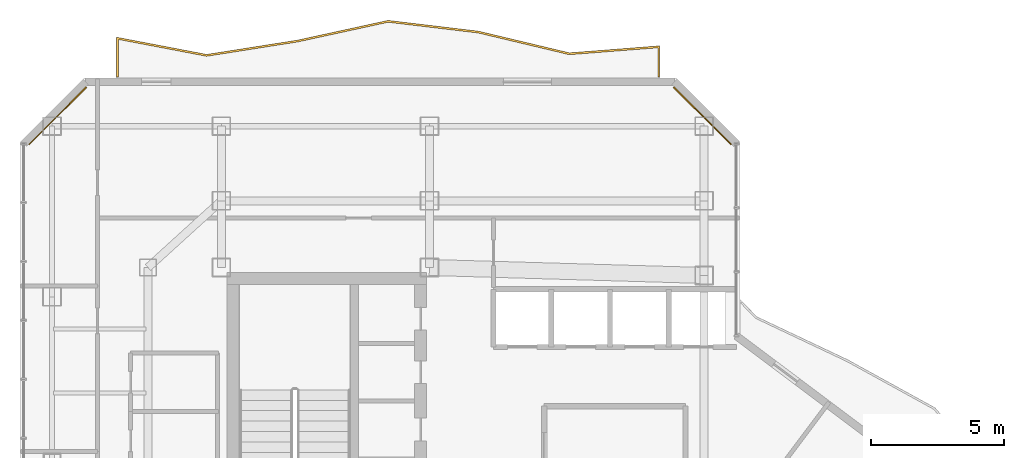
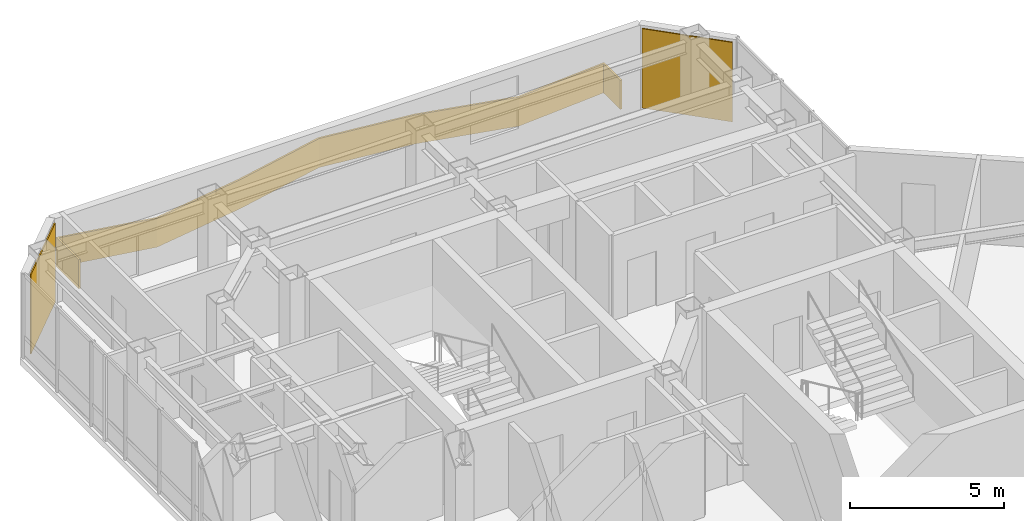
# One storey, part 26 of 26: 2 coverings, 1 railing.
"""IFC4 building model written with IfcOpenShell, lengths in metres."""

from ifc_helpers import new_model, si_unit, direction, frame, origin, origin_2d, place, context, subcontext, project, spatial, polyline, rectangle, outline, extrude, material, layer, layer_set, type_object, element, save


model = new_model("IFC4")

# Units and contexts
model_context = context("Model", 3, precision=1e-05, world=origin(), true_north=direction((0.0, 1.0)))
body_context = subcontext(model_context, "Body", "Model", "MODEL_VIEW")
ifc_project = project(units=[si_unit("LENGTHUNIT", "METRE"), si_unit("AREAUNIT", "SQUARE_METRE"), si_unit("VOLUMEUNIT", "CUBIC_METRE"), si_unit("PLANEANGLEUNIT", "RADIAN"), si_unit("MASSUNIT", "GRAM", prefix="KILO")], contexts=[model_context])

# Site, building, storey
site_placement = place(None, origin())
site = spatial("IfcSite", under=ifc_project, at=site_placement, CompositionType="ELEMENT")
building_placement = place(site_placement, origin())
building = spatial("IfcBuilding", under=site, at=building_placement, Name="Hatsunagi Terrace Concourse", CompositionType="ELEMENT")
storey_placement = place(building_placement, frame((0.0, 0.0, 227.550048828125)))
storey = spatial("IfcBuildingStorey", under=building, at=storey_placement, Name="L60", CompositionType="ELEMENT", Elevation=227.550048828125)

# Railing
ifc_material_1 = material(Name="Laminated Glass and Stainless Steel Guard", Category="steel")
ifc_layer_1 = layer(ifc_material_1, 0.070068359375)
ifc_layer_set_1 = layer_set([ifc_layer_1], Name="BalconyGlassGuardRail_1150")
railing_type = type_object("IfcRailingType", Name="BalconyGlassGuardRail_1150", PredefinedType="BALUSTRADE", material=ifc_layer_set_1)
railing_placement = place(storey_placement, origin())
element("IfcRailing", 1, at=railing_placement, inside=storey, type_object=railing_type, Name="Engawa Balcony Guard GRD-01 L60-BN-1", PredefinedType="BALUSTRADE", context=body_context, shape_type="SweptSolid", body=[
    extrude(outline(polyline([(21.614990234375, 50.449951171875), (21.68505859375, 50.449951171875), (21.68505859375, 51.84765625), (24.998291015625, 51.215576171875), (28.41552734375, 51.753662109375), (31.8037109375, 52.491455078125), (35.184814453125, 52.08837890625), (38.59326171875, 51.275634765625), (41.9150390625, 51.533203125), (41.9150390625, 50.449951171875), (41.985107421875, 50.449951171875), (41.985107421875, 51.60888671875), (38.598876953125, 51.34619140625), (35.197265625, 52.157470703125), (31.80029296875, 52.5625), (28.402587890625, 51.822509765625), (24.99951171875, 51.28662109375), (21.614990234375, 51.932373046875), (21.614990234375, 50.449951171875)])), origin(), (0.0, 0.0, 1.0), 1.14990234375),
])

# Coverings
ifc_material_2 = material(Name="Unglazed Warm Terracotta Rainscreen Tile", Category="masonry")
ifc_layer_2 = layer(ifc_material_2, 0.044921875)
ifc_layer_set_2 = layer_set([ifc_layer_2], Name="TerracottaRainscreenCladding_45")
covering_type = type_object("IfcCoveringType", Name="TerracottaRainscreenCladding_45", PredefinedType="CLADDING", material=ifc_layer_set_2)
for number, where, z_axis, x_axis, name in (
    (2, (19.4140625, 48.986083984375, 0.10009765625), (0.0, 0.0, 1.0), (0.707106781187, 0.707106781187, 0.0), "Terracotta Rainscreen Cladding L60-09"),
    (3, (43.5859375, 48.986083984375, 0.10009765625), (0.0, 0.0, 1.0), (0.707106781187, -0.707106781187, 0.0), "Terracotta Rainscreen Cladding L60-11"),
):
    element("IfcCovering", number, at=place(storey_placement, frame(where, z_axis=z_axis, x_axis=x_axis)), inside=storey, type_object=covering_type, Name=name, PredefinedType="CLADDING", context=body_context, shape_type="SweptSolid", body=[
        extrude(rectangle(XDim=3.0380859375, YDim=0.044921875, at=origin_2d()), origin(), (0.0, 0.0, 1.0), 3.14990234375),
    ])

save(model, "model.ifc")
